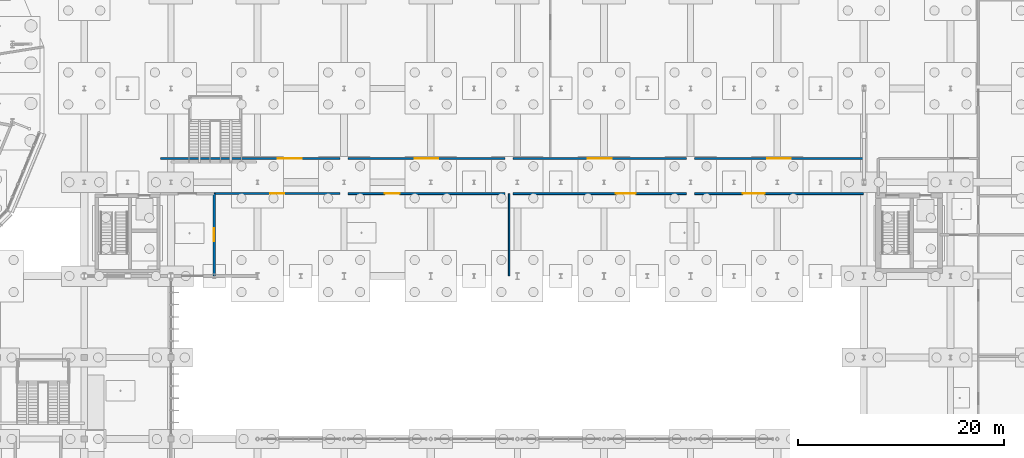
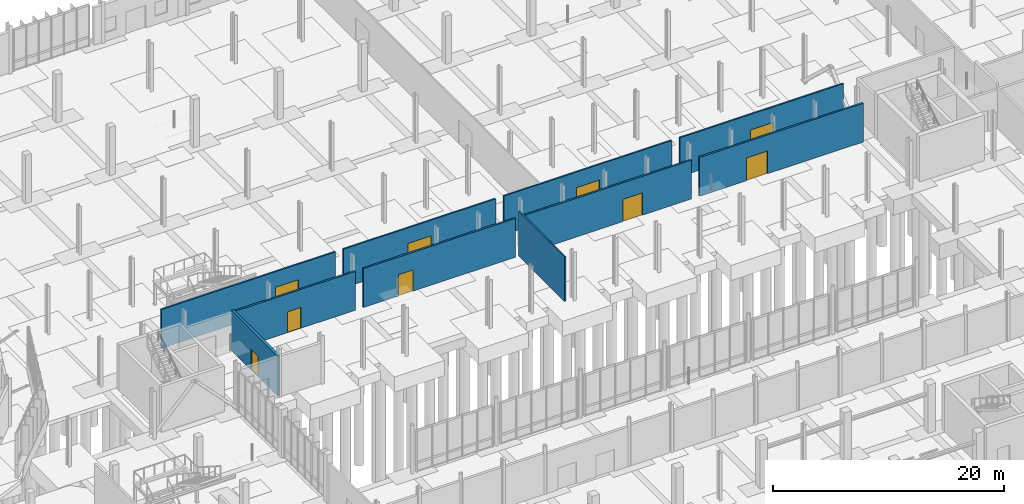
# One storey, part 83 of 119: 10 walls, 9 doors, 9 openings.
"""IFC4 building model written with IfcOpenShell, lengths in metres."""

from ifc_helpers import new_model, si_unit, derived_unit, direction, frame, frame_2d, origin, place, context, subcontext, project, spatial, rectangle, extrude, material, layer, layer_set, type_object, element, fill, save


model = new_model("IFC4")

# Units and contexts
model_context = context("Model", 3, precision=1e-05, world=origin(), true_north=direction((0.0, 1.0)))
body_context = subcontext(model_context, "Body", "Model", "MODEL_VIEW")
ifc_project = project(units=[si_unit("LENGTHUNIT", "METRE"), si_unit("AREAUNIT", "SQUARE_METRE"), si_unit("VOLUMEUNIT", "CUBIC_METRE"), si_unit("PLANEANGLEUNIT", "RADIAN"), si_unit("MASSUNIT", "GRAM", prefix="KILO"), derived_unit("THERMALTRANSMITTANCEUNIT", [(si_unit("MASSUNIT", "GRAM", prefix="KILO"), 1), (si_unit("TIMEUNIT", "SECOND"), -3), (si_unit("THERMODYNAMICTEMPERATUREUNIT", "KELVIN"), -1)])], contexts=[model_context])

# Site, building, storey
site_placement = place(None, origin())
site = spatial("IfcSite", under=ifc_project, at=site_placement, CompositionType="ELEMENT")
building_placement = place(site_placement, origin())
building = spatial("IfcBuilding", under=site, at=building_placement, Name="Makaiwela Harbour Ferry Terminal", CompositionType="ELEMENT")
storey_placement = place(building_placement, origin())
storey = spatial("IfcBuildingStorey", under=building, at=storey_placement, Name="L00", CompositionType="ELEMENT", Elevation=0.0)

# Wall, opening, door
ifc_material_1 = material(Name="Fire-rated gypsum board on steel studs", Category="steel")
ifc_layer_1 = layer(ifc_material_1, 0.179931640625)
ifc_layer_set_1 = layer_set([ifc_layer_1], Name="Fire-rated gypsum board on steel studs")
wall_type_1 = type_object("IfcWallType", Name="INT-WL-FIR180", PredefinedType="PARTITIONING", material=ifc_layer_set_1)
wall_1_placement = place(storey_placement, frame((75.60009765625, 57.39990234375, 0.0), z_axis=(0.0, 0.0, 1.0), x_axis=(1.0, 0.0, 0.0)))
wall_1 = element("IfcWall", 1, at=wall_1_placement, inside=storey, type_object=wall_type_1, Name="Interior Wall IW-0471", PredefinedType="PARTITIONING", context=body_context, shape_type="SweptSolid", body=[
    extrude(rectangle(XDim=12.199951171875, YDim=0.179931640625, at=frame_2d((6.10009765625, 0.0))), origin(), (0.0, 0.0, 1.0), 4.10205078125),
])
opening_1_placement = place(wall_1_placement, frame((5.425048828125, 0.0, 0.0)))
opening_1 = element("IfcOpeningElement", 2, at=opening_1_placement, cuts=wall_1, Name="Opening D-15", PredefinedType="OPENING", context=body_context, shape_type="SweptSolid", body=[
    extrude(rectangle(XDim=1.35009765625, YDim=2.199951171875, at=frame_2d((0.675048828125, 1.10009765625))), frame((0.0, 0.099853515625, 0.0), z_axis=(0.0, -1.0, 0.0), x_axis=(1.0, 0.0, 0.0)), (0.0, 0.0, 1.0), 0.199951171875),
])
ifc_material_2 = material(Name="Insulated galvanised fire-rated steel leaf and frame", Category="steel")
door_type_1 = type_object("IfcDoorType", Name="INT-DR-STR135", OperationType="NOTDEFINED", PredefinedType="DOOR", material=ifc_material_2)
door_1_placement = place(opening_1_placement, origin())
door_1 = element("IfcDoor", 3, at=door_1_placement, inside=storey, type_object=door_type_1, Name="Door D-15", OperationType="SINGLE_SWING_LEFT", OverallHeight=2.199951171875, OverallWidth=1.35009765625, PredefinedType="DOOR", context=body_context, shape_type="SweptSolid", body=[
    extrude(rectangle(XDim=1.35009765625, YDim=2.199951171875, at=frame_2d((0.675048828125, 1.10009765625))), frame((0.0, 0.02490234375, 0.0), z_axis=(0.0, -1.0, 0.0), x_axis=(1.0, 0.0, 0.0)), (0.0, 0.0, 1.0), 0.050048828125),
])
fill(opening_1, door_1)

wall_2_placement = place(storey_placement, frame((88.60009765625, 57.39990234375, 0.0), z_axis=(0.0, 0.0, 1.0), x_axis=(1.0, 0.0, 0.0)))
wall_2 = element("IfcWall", 4, at=wall_2_placement, inside=storey, type_object=wall_type_1, Name="Interior Wall IW-0472", PredefinedType="PARTITIONING", context=body_context, shape_type="SweptSolid", body=[
    extrude(rectangle(XDim=15.199951171875, YDim=0.179931640625, at=frame_2d((7.60009765625, 0.0))), origin(), (0.0, 0.0, 1.0), 4.10205078125),
])
opening_2_placement = place(wall_2_placement, frame((3.531005859375, 0.0, 0.0)))
opening_2 = element("IfcOpeningElement", 5, at=opening_2_placement, cuts=wall_2, Name="Opening D-16", PredefinedType="OPENING", context=body_context, shape_type="SweptSolid", body=[
    extrude(rectangle(XDim=1.449951171875, YDim=2.25, at=frame_2d((0.72509765625, 1.125))), frame((0.0, 0.099853515625, 0.0), z_axis=(0.0, -1.0, 0.0), x_axis=(1.0, 0.0, 0.0)), (0.0, 0.0, 1.0), 0.199951171875),
])
door_type_2 = type_object("IfcDoorType", Name="INT-DR-STR145", OperationType="NOTDEFINED", PredefinedType="DOOR", material=ifc_material_2)
door_2_placement = place(opening_2_placement, origin())
door_2 = element("IfcDoor", 6, at=door_2_placement, inside=storey, type_object=door_type_2, Name="Door D-16", OperationType="SINGLE_SWING_RIGHT", OverallHeight=2.25, OverallWidth=1.449951171875, PredefinedType="DOOR", context=body_context, shape_type="SweptSolid", body=[
    extrude(rectangle(XDim=1.449951171875, YDim=2.25, at=frame_2d((0.72509765625, 1.125))), frame((0.0, 0.02490234375, 0.0), z_axis=(0.0, -1.0, 0.0), x_axis=(1.0, 0.0, 0.0)), (0.0, 0.0, 1.0), 0.050048828125),
])
fill(opening_2, door_2)

wall_3_placement = place(storey_placement, frame((104.60009765625, 57.39990234375, 0.0), z_axis=(0.0, 0.0, 1.0), x_axis=(1.0, 0.0, 0.0)))
wall_3 = element("IfcWall", 7, at=wall_3_placement, inside=storey, type_object=wall_type_1, Name="Interior Wall IW-0473", PredefinedType="PARTITIONING", context=body_context, shape_type="SweptSolid", body=[
    extrude(rectangle(XDim=16.7998046875, YDim=0.179931640625, at=frame_2d((8.39990234375, 0.0))), origin(), (0.0, 0.0, 1.0), 4.10205078125),
])
opening_3_placement = place(wall_3_placement, frame((9.945068359375, 0.0, 0.0)))
opening_3 = element("IfcOpeningElement", 8, at=opening_3_placement, cuts=wall_3, Name="Opening D-19", PredefinedType="OPENING", context=body_context, shape_type="SweptSolid", body=[
    extrude(rectangle(XDim=1.949951171875, YDim=2.35009765625, at=frame_2d((0.97509765625, 1.175048828125))), frame((0.0, 0.099853515625, 0.0), z_axis=(0.0, -1.0, 0.0), x_axis=(1.0, 0.0, 0.0)), (0.0, 0.0, 1.0), 0.199951171875),
])
ifc_material_3 = material(Name="Solid-core marine hardwood and painted steel frame", Category="steel")
door_type_3 = type_object("IfcDoorType", Name="INT-DR-RET195", OperationType="NOTDEFINED", PredefinedType="DOOR", material=ifc_material_3)
door_3_placement = place(opening_3_placement, origin())
door_3 = element("IfcDoor", 9, at=door_3_placement, inside=storey, type_object=door_type_3, Name="Door D-19", OperationType="DOUBLE_DOOR_SINGLE_SWING", OverallHeight=2.35009765625, OverallWidth=1.949951171875, PredefinedType="DOOR", context=body_context, shape_type="SweptSolid", body=[
    extrude(rectangle(XDim=1.949951171875, YDim=2.35009765625, at=frame_2d((0.97509765625, 1.175048828125))), frame((0.0, 0.02490234375, 0.0), z_axis=(0.0, -1.0, 0.0), x_axis=(1.0, 0.0, 0.0)), (0.0, 0.0, 1.0), 0.050048828125),
])
fill(opening_3, door_3)

wall_4_placement = place(storey_placement, frame((122.199951171875, 57.39990234375, 0.0), z_axis=(0.0, 0.0, 1.0), x_axis=(1.0, 0.0, 0.0)))
wall_4 = element("IfcWall", 10, at=wall_4_placement, inside=storey, type_object=wall_type_1, Name="Interior Wall IW-0474", PredefinedType="PARTITIONING", context=body_context, shape_type="SweptSolid", body=[
    extrude(rectangle(XDim=16.360107421875, YDim=0.179931640625, at=frame_2d((8.18017578125, 0.0))), origin(), (0.0, 0.0, 1.0), 4.10205078125),
])
opening_4_placement = place(wall_4_placement, frame((4.676025390625, 0.0, 0.0)))
opening_4 = element("IfcOpeningElement", 11, at=opening_4_placement, cuts=wall_4, Name="Opening D-20", PredefinedType="OPENING", context=body_context, shape_type="SweptSolid", body=[
    extrude(rectangle(XDim=2.10009765625, YDim=2.39990234375, at=frame_2d((1.050048828125, 1.199951171875))), frame((0.0, 0.099853515625, 0.0), z_axis=(0.0, -1.0, 0.0), x_axis=(1.0, 0.0, 0.0)), (0.0, 0.0, 1.0), 0.199951171875),
])
door_type_4 = type_object("IfcDoorType", Name="INT-DR-RET210", OperationType="NOTDEFINED", PredefinedType="DOOR", material=ifc_material_3)
door_4_placement = place(opening_4_placement, origin())
door_4 = element("IfcDoor", 12, at=door_4_placement, inside=storey, type_object=door_type_4, Name="Door D-20", OperationType="DOUBLE_DOOR_SINGLE_SWING", OverallHeight=2.39990234375, OverallWidth=2.10009765625, PredefinedType="DOOR", context=body_context, shape_type="SweptSolid", body=[
    extrude(rectangle(XDim=2.10009765625, YDim=2.39990234375, at=frame_2d((1.050048828125, 1.199951171875))), frame((0.0, 0.02490234375, 0.0), z_axis=(0.0, -1.0, 0.0), x_axis=(1.0, 0.0, 0.0)), (0.0, 0.0, 1.0), 0.050048828125),
])
fill(opening_4, door_4)

ifc_layer_2 = layer(ifc_material_1, 0.239990234375)
ifc_layer_set_2 = layer_set([ifc_layer_2], Name="Fire-rated gypsum board on steel studs")
wall_type_2 = type_object("IfcWallType", Name="INT-WL-FIR240", PredefinedType="SOLIDWALL", material=ifc_layer_set_2)
wall_5_placement = place(storey_placement, frame((75.60009765625, 49.419921875, 0.0), z_axis=(0.0, 0.0, 1.0), x_axis=(0.0, 1.0, 0.0)))
wall_5 = element("IfcWall", 13, at=wall_5_placement, inside=storey, type_object=wall_type_2, Name="Interior Wall IW-0469", PredefinedType="SOLIDWALL", context=body_context, shape_type="SweptSolid", body=[
    extrude(rectangle(XDim=7.97998046875, YDim=0.239990234375, at=frame_2d((3.989990234375, 0.0))), origin(), (0.0, 0.0, 1.0), 4.258056640625),
])
opening_5_placement = place(wall_5_placement, frame((3.364990234375, 0.0, 0.0)))
opening_5 = element("IfcOpeningElement", 14, at=opening_5_placement, cuts=wall_5, Name="Opening D-02", PredefinedType="OPENING", context=body_context, shape_type="SweptSolid", body=[
    extrude(rectangle(XDim=1.25, YDim=2.199951171875, at=frame_2d((0.625, 1.10009765625))), frame((0.0, 0.1298828125, 0.0), z_axis=(0.0, -1.0, 0.0), x_axis=(1.0, 0.0, 0.0)), (0.0, 0.0, 1.0), 0.260009765625),
])
door_type_5 = type_object("IfcDoorType", Name="INT-DR-ST125", OperationType="NOTDEFINED", PredefinedType="DOOR", material=ifc_material_2)
door_5_placement = place(opening_5_placement, frame((1.25, 0.0, 0.0), z_axis=(0.0, 0.0, 1.0), x_axis=(-1.0, 0.0, 0.0)))
door_5 = element("IfcDoor", 15, at=door_5_placement, inside=storey, type_object=door_type_5, Name="Door D-02", OperationType="SINGLE_SWING_RIGHT", OverallHeight=2.199951171875, OverallWidth=1.25, PredefinedType="DOOR", context=body_context, shape_type="SweptSolid", body=[
    extrude(rectangle(XDim=1.25, YDim=2.199951171875, at=frame_2d((0.625, 1.10009765625))), frame((0.0, 0.02490234375, 0.0), z_axis=(0.0, -1.0, 0.0), x_axis=(1.0, 0.0, 0.0)), (0.0, 0.0, 1.0), 0.050048828125),
])
fill(opening_5, door_5)

# Wall
ifc_material_4 = material(Name="Moisture-resistant acoustic gypsum partition", Category="gypsum")
ifc_layer_3 = layer(ifc_material_4, 0.139892578125)
ifc_layer_set_3 = layer_set([ifc_layer_3], Name="Moisture-resistant acoustic gypsum partition")
wall_type_3 = type_object("IfcWallType", Name="INT-WL-PRT140", PredefinedType="PARTITIONING", material=ifc_layer_set_3)
wall_6_placement = place(storey_placement, frame((104.199951171875, 49.419921875, 0.0), z_axis=(0.0, 0.0, 1.0), x_axis=(0.0, 1.0, 0.0)))
element("IfcWall", 16, at=wall_6_placement, inside=storey, type_object=wall_type_3, Name="Interior Wall IW-0479", PredefinedType="PARTITIONING", context=body_context, shape_type="SweptSolid", body=[
    extrude(rectangle(XDim=7.97998046875, YDim=0.139892578125, at=frame_2d((3.989990234375, 0.0))), origin(), (0.0, 0.0, 1.0), 4.719970703125),
])

# Wall, opening, door
ifc_layer_4 = layer(ifc_material_4, 0.14990234375)
ifc_layer_set_4 = layer_set([ifc_layer_4], Name="Moisture-resistant acoustic gypsum partition")
wall_type_4 = type_object("IfcWallType", Name="INT-WL-PRT150", PredefinedType="PARTITIONING", material=ifc_layer_set_4)
wall_7_placement = place(storey_placement, frame((70.39990234375, 60.800048828125, 0.0), z_axis=(0.0, 0.0, 1.0), x_axis=(1.0, 0.0, 0.0)))
wall_7 = element("IfcWall", 17, at=wall_7_placement, inside=storey, type_object=wall_type_4, Name="Interior Wall IW-0475", PredefinedType="PARTITIONING", context=body_context, shape_type="SweptSolid", body=[
    extrude(rectangle(XDim=17.400146484375, YDim=0.14990234375, at=frame_2d((8.7001953125, 0.0))), origin(), (0.0, 0.0, 1.0), 4.10205078125),
])
opening_6_placement = place(wall_7_placement, frame((11.3779296875, 0.0, 0.0)))
opening_6 = element("IfcOpeningElement", 18, at=opening_6_placement, cuts=wall_7, Name="Opening D-23", PredefinedType="OPENING", context=body_context, shape_type="SweptSolid", body=[
    extrude(rectangle(XDim=2.300048828125, YDim=2.449951171875, at=frame_2d((1.14990234375, 1.22509765625))), frame((0.0, 0.0849609375, 0.0), z_axis=(0.0, -1.0, 0.0), x_axis=(1.0, 0.0, 0.0)), (0.0, 0.0, 1.0), 0.169921875),
])
door_type_6 = type_object("IfcDoorType", Name="INT-DR-CON230", OperationType="NOTDEFINED", PredefinedType="DOOR", material=ifc_material_3)
door_6_placement = place(opening_6_placement, frame((2.300048828125, 0.0, 0.0), z_axis=(0.0, 0.0, 1.0), x_axis=(-1.0, 0.0, 0.0)))
door_6 = element("IfcDoor", 19, at=door_6_placement, inside=storey, type_object=door_type_6, Name="Door D-23", OperationType="DOUBLE_DOOR_SINGLE_SWING", OverallHeight=2.449951171875, OverallWidth=2.300048828125, PredefinedType="DOOR", context=body_context, shape_type="SweptSolid", body=[
    extrude(rectangle(XDim=2.300048828125, YDim=2.449951171875, at=frame_2d((1.14990234375, 1.22509765625))), frame((0.0, 0.02490234375, 0.0), z_axis=(0.0, -1.0, 0.0), x_axis=(1.0, 0.0, 0.0)), (0.0, 0.0, 1.0), 0.050048828125),
])
fill(opening_6, door_6)

wall_8_placement = place(storey_placement, frame((88.60009765625, 60.800048828125, 0.0), z_axis=(0.0, 0.0, 1.0), x_axis=(1.0, 0.0, 0.0)))
wall_8 = element("IfcWall", 20, at=wall_8_placement, inside=storey, type_object=wall_type_4, Name="Interior Wall IW-0476", PredefinedType="PARTITIONING", context=body_context, shape_type="SweptSolid", body=[
    extrude(rectangle(XDim=15.199951171875, YDim=0.14990234375, at=frame_2d((7.60009765625, 0.0))), origin(), (0.0, 0.0, 1.0), 4.10205078125),
])
opening_7_placement = place(wall_8_placement, frame((6.449951171875, 0.0, 0.0)))
opening_7 = element("IfcOpeningElement", 21, at=opening_7_placement, cuts=wall_8, Name="Opening D-23", PredefinedType="OPENING", context=body_context, shape_type="SweptSolid", body=[
    extrude(rectangle(XDim=2.300048828125, YDim=2.449951171875, at=frame_2d((1.14990234375, 1.22509765625))), frame((0.0, 0.0849609375, 0.0), z_axis=(0.0, -1.0, 0.0), x_axis=(1.0, 0.0, 0.0)), (0.0, 0.0, 1.0), 0.169921875),
])
door_7_placement = place(opening_7_placement, frame((2.300048828125, 0.0, 0.0), z_axis=(0.0, 0.0, 1.0), x_axis=(-1.0, 0.0, 0.0)))
door_7 = element("IfcDoor", 22, at=door_7_placement, inside=storey, type_object=door_type_6, Name="Door D-23", OperationType="DOUBLE_DOOR_SINGLE_SWING", OverallHeight=2.449951171875, OverallWidth=2.300048828125, PredefinedType="DOOR", context=body_context, shape_type="SweptSolid", body=[
    extrude(rectangle(XDim=2.300048828125, YDim=2.449951171875, at=frame_2d((1.14990234375, 1.22509765625))), frame((0.0, 0.02490234375, 0.0), z_axis=(0.0, -1.0, 0.0), x_axis=(1.0, 0.0, 0.0)), (0.0, 0.0, 1.0), 0.050048828125),
])
fill(opening_7, door_7)

wall_9_placement = place(storey_placement, frame((104.60009765625, 60.800048828125, 0.0), z_axis=(0.0, 0.0, 1.0), x_axis=(1.0, 0.0, 0.0)))
wall_9 = element("IfcWall", 23, at=wall_9_placement, inside=storey, type_object=wall_type_4, Name="Interior Wall IW-0477", PredefinedType="PARTITIONING", context=body_context, shape_type="SweptSolid", body=[
    extrude(rectangle(XDim=16.7998046875, YDim=0.14990234375, at=frame_2d((8.39990234375, 0.0))), origin(), (0.0, 0.0, 1.0), 4.10205078125),
])
opening_8_placement = place(wall_9_placement, frame((7.25, 0.0, 0.0)))
opening_8 = element("IfcOpeningElement", 24, at=opening_8_placement, cuts=wall_9, Name="Opening D-23", PredefinedType="OPENING", context=body_context, shape_type="SweptSolid", body=[
    extrude(rectangle(XDim=2.300048828125, YDim=2.449951171875, at=frame_2d((1.14990234375, 1.22509765625))), frame((0.0, 0.0849609375, 0.0), z_axis=(0.0, -1.0, 0.0), x_axis=(1.0, 0.0, 0.0)), (0.0, 0.0, 1.0), 0.169921875),
])
door_8_placement = place(opening_8_placement, frame((2.300048828125, 0.0, 0.0), z_axis=(0.0, 0.0, 1.0), x_axis=(-1.0, 0.0, 0.0)))
door_8 = element("IfcDoor", 25, at=door_8_placement, inside=storey, type_object=door_type_6, Name="Door D-23", OperationType="DOUBLE_DOOR_SINGLE_SWING", OverallHeight=2.449951171875, OverallWidth=2.300048828125, PredefinedType="DOOR", context=body_context, shape_type="SweptSolid", body=[
    extrude(rectangle(XDim=2.300048828125, YDim=2.449951171875, at=frame_2d((1.14990234375, 1.22509765625))), frame((0.0, 0.02490234375, 0.0), z_axis=(0.0, -1.0, 0.0), x_axis=(1.0, 0.0, 0.0)), (0.0, 0.0, 1.0), 0.050048828125),
])
fill(opening_8, door_8)

wall_10_placement = place(storey_placement, frame((122.199951171875, 60.800048828125, 0.0), z_axis=(0.0, 0.0, 1.0), x_axis=(1.0, 0.0, 0.0)))
wall_10 = element("IfcWall", 26, at=wall_10_placement, inside=storey, type_object=wall_type_4, Name="Interior Wall IW-0478", PredefinedType="PARTITIONING", context=body_context, shape_type="SweptSolid", body=[
    extrude(rectangle(XDim=16.360107421875, YDim=0.14990234375, at=frame_2d((8.18017578125, 0.0))), origin(), (0.0, 0.0, 1.0), 4.10205078125),
])
opening_9_placement = place(wall_10_placement, frame((7.030029296875, 0.0, 0.0)))
opening_9 = element("IfcOpeningElement", 27, at=opening_9_placement, cuts=wall_10, Name="Opening D-23", PredefinedType="OPENING", context=body_context, shape_type="SweptSolid", body=[
    extrude(rectangle(XDim=2.300048828125, YDim=2.449951171875, at=frame_2d((1.14990234375, 1.22509765625))), frame((0.0, 0.0849609375, 0.0), z_axis=(0.0, -1.0, 0.0), x_axis=(1.0, 0.0, 0.0)), (0.0, 0.0, 1.0), 0.169921875),
])
door_9_placement = place(opening_9_placement, frame((2.300048828125, 0.0, 0.0), z_axis=(0.0, 0.0, 1.0), x_axis=(-1.0, 0.0, 0.0)))
door_9 = element("IfcDoor", 28, at=door_9_placement, inside=storey, type_object=door_type_6, Name="Door D-23", OperationType="DOUBLE_DOOR_SINGLE_SWING", OverallHeight=2.449951171875, OverallWidth=2.300048828125, PredefinedType="DOOR", context=body_context, shape_type="SweptSolid", body=[
    extrude(rectangle(XDim=2.300048828125, YDim=2.449951171875, at=frame_2d((1.14990234375, 1.22509765625))), frame((0.0, 0.02490234375, 0.0), z_axis=(0.0, -1.0, 0.0), x_axis=(1.0, 0.0, 0.0)), (0.0, 0.0, 1.0), 0.050048828125),
])
fill(opening_9, door_9)

save(model, "model.ifc")
